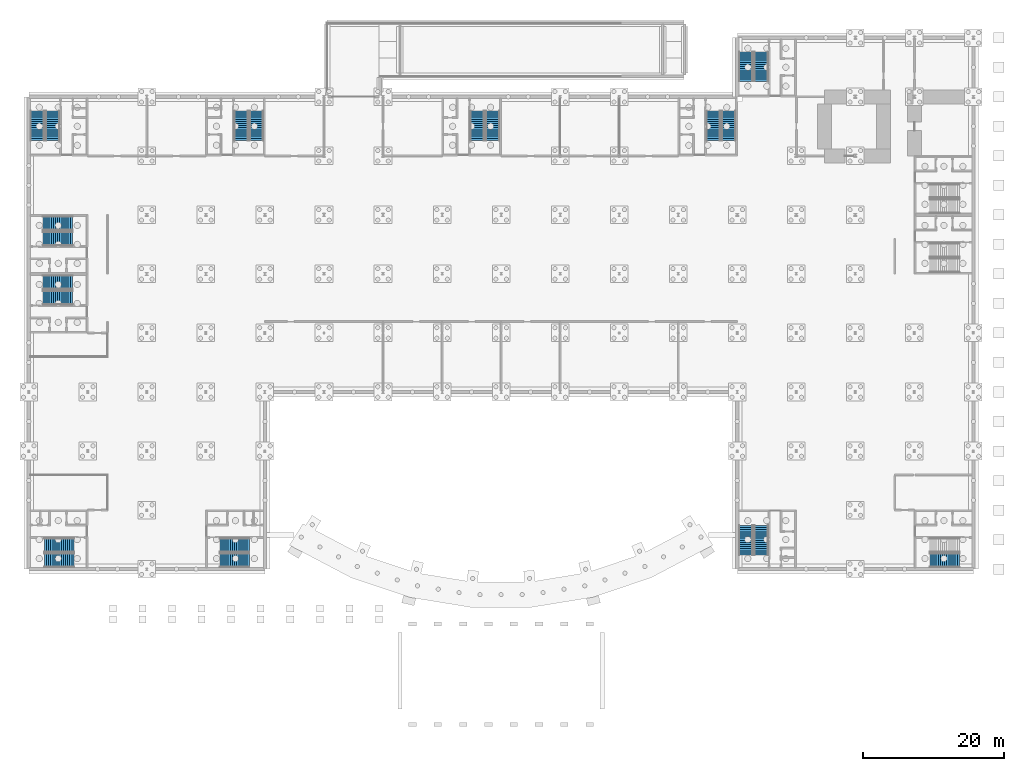
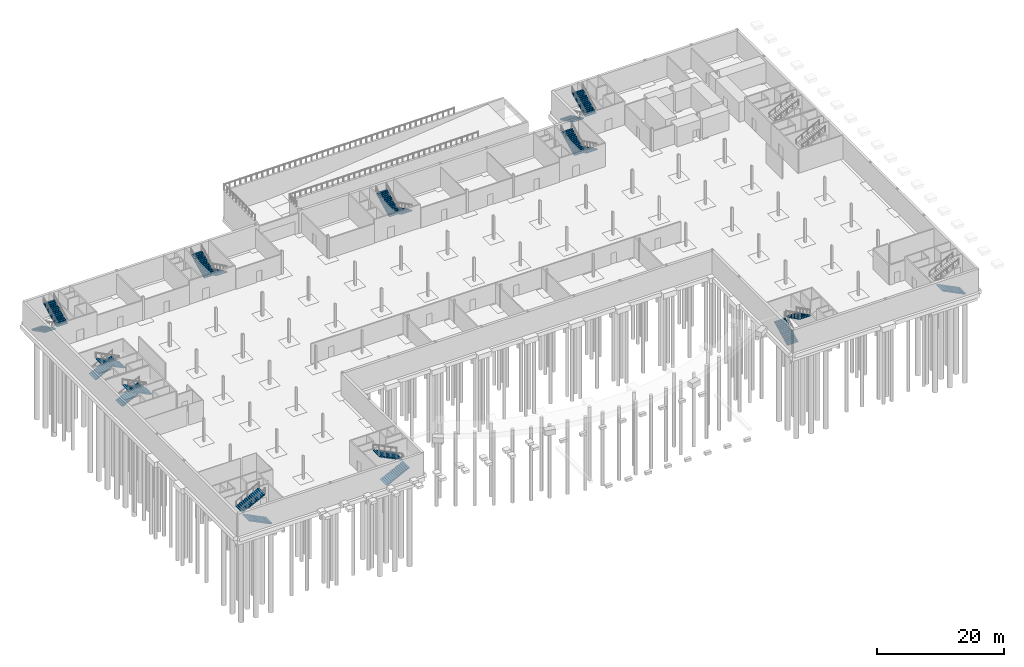
# One storey, part 32 of 35: 21 stair flights, 11 elements without a shape of their own.
"""IFC4 building model written with IfcOpenShell, lengths in metres."""

import ifcopenshell
import ifcopenshell.guid

model = None  # the IFC model being written
_history = None  # IfcOwnerHistory: only IFC2X3 demands one
_inside = {}  # id of a spatial element -> (the spatial element, [elements in it])
_under = {}  # id of a project, library or spatial element -> (it, [spatial elements below it])
_declared = {}  # id of a project -> (the project, [libraries it declares])
_typed = {}  # id of a type object -> (the type object, [elements of that type])
_made_of = {}  # id of a material, layer set ... -> (it, [elements and type objects made of it])


def new_model(schema):
    """Start an empty IFC model of exactly this schema.

    Asked for "IFC4X3", IfcOpenShell would pick the latest addendum, in which some entities
    have other attributes; the version numbers below select the first issue.
    IFC2X3 requires an IfcOwnerHistory on every rooted entity: one is made here for all.
    """
    global model, _history
    if schema == "IFC4X3":
        model = ifcopenshell.file(schema_version=(4, 3, 0, 0))
    else:
        model = ifcopenshell.file(schema=schema)
    _inside.clear()
    _under.clear()
    _declared.clear()
    _typed.clear()
    _made_of.clear()
    _history = None
    if model.schema == "IFC2X3":
        org = make("IfcOrganization", Name="unknown")
        user = make(
            "IfcPersonAndOrganization",
            ThePerson=make("IfcPerson", FamilyName="unknown"),
            TheOrganization=org,
        )
        app = make(
            "IfcApplication",
            ApplicationDeveloper=org,
            Version="unknown",
            ApplicationFullName="unknown",
            ApplicationIdentifier="unknown",
        )
        _history = make(
            "IfcOwnerHistory",
            OwningUser=user,
            OwningApplication=app,
            ChangeAction="ADDED",
            CreationDate=0,
        )
    return model


def make(cls, **values):
    """One entity of the class cls with the attributes given. An attribute that is None is left unset."""
    return model.create_entity(
        cls, **{name: value for name, value in values.items() if value is not None}
    )


def rooted(cls, **values):
    """An entity with a GlobalId (a new one), such as an element, a storey or a relation."""
    return make(cls, GlobalId=ifcopenshell.guid.new(), OwnerHistory=_history, **values)


def si_unit(unit_type, name, prefix=None):
    """IfcSIUnit, for example si_unit("LENGTHUNIT", "METRE", prefix="MILLI")."""
    return make("IfcSIUnit", UnitType=unit_type, Prefix=prefix, Name=name)


def assignment(units):
    """IfcUnitAssignment: the units of a project."""
    return None if units is None else make("IfcUnitAssignment", Units=units)


def point(xyz):
    """IfcCartesianPoint."""
    return None if xyz is None else make("IfcCartesianPoint", Coordinates=xyz)


def direction(xyz):
    """IfcDirection."""
    return None if xyz is None else make("IfcDirection", DirectionRatios=xyz)


def frame(location, z_axis=None, x_axis=None):
    """IfcAxis2Placement3D, a coordinate frame: its origin and axes. An axis left out is left unset."""
    return make(
        "IfcAxis2Placement3D",
        Location=point(location),
        Axis=direction(z_axis),
        RefDirection=direction(x_axis),
    )


def origin():
    """The frame at (0, 0, 0) with its axes left unset."""
    return frame((0.0, 0.0, 0.0))


def place(relative_to, where):
    """IfcLocalPlacement: puts the frame where relative to a parent placement (None: the world)."""
    return make(
        "IfcLocalPlacement", PlacementRelTo=relative_to, RelativePlacement=where
    )


def context(
    kind, dimensions, precision=None, world=None, true_north=None, identifier=None
):
    """IfcGeometricRepresentationContext, for example the 3D "Model" context."""
    return make(
        "IfcGeometricRepresentationContext",
        ContextIdentifier=identifier,
        ContextType=kind,
        CoordinateSpaceDimension=dimensions,
        Precision=precision,
        WorldCoordinateSystem=world,
        TrueNorth=true_north,
    )


def subcontext(parent, identifier, kind, view, scale=None):
    """IfcGeometricRepresentationSubContext, for example "Body" below "Model"."""
    return make(
        "IfcGeometricRepresentationSubContext",
        ContextIdentifier=identifier,
        ContextType=kind,
        ParentContext=parent,
        TargetScale=scale,
        TargetView=view,
    )


def project(units=None, contexts=None):
    """IfcProject with its units and contexts."""
    return rooted(
        "IfcProject",
        Name="project",
        RepresentationContexts=contexts,
        UnitsInContext=assignment(units),
    )


def spatial(cls, under=None, at=None, **own):
    """A site, building, storey or space (cls), placed at a placement, below another one or the project."""
    s = rooted(cls, ObjectPlacement=at, **own)
    if under is not None:
        _under.setdefault(under.id(), (under, []))[1].append(s)
    return s


def polyline(points):
    """IfcPolyline through the points."""
    return make("IfcPolyline", Points=[point(p) for p in points])


def outline(outer, holes=None, kind="AREA"):
    """IfcArbitraryClosedProfileDef: a profile drawn as a closed curve; with holes, ...WithVoids."""
    if holes is None:
        return make("IfcArbitraryClosedProfileDef", ProfileType=kind, OuterCurve=outer)
    return make(
        "IfcArbitraryProfileDefWithVoids",
        ProfileType=kind,
        OuterCurve=outer,
        InnerCurves=holes,
    )


def extrude(swept, where, along, depth):
    """IfcExtrudedAreaSolid: the profile swept, set in the frame where, extruded along a direction by depth."""
    return make(
        "IfcExtrudedAreaSolid",
        SweptArea=swept,
        Position=where,
        ExtrudedDirection=direction(along),
        Depth=depth,
    )


def shape(context_of_items, identifier, shape_type, items):
    """IfcShapeRepresentation: the items that make up one representation, for example the "Body"."""
    return make(
        "IfcShapeRepresentation",
        ContextOfItems=context_of_items,
        RepresentationIdentifier=identifier,
        RepresentationType=shape_type,
        Items=items,
    )


def material(Name=None, Category=None):
    """IfcMaterial."""
    return make("IfcMaterial", Name=Name, Category=Category)


def made_of(thing, what):
    """Note that an element or type object is made of a material, layer set ...; save() writes the relation."""
    if what is not None:
        _made_of.setdefault(what.id(), (what, []))[1].append(thing)
    return thing


def type_object(cls, material=None, **own):
    """A type object (cls), such as IfcWallType, which elements share."""
    return made_of(rooted(cls, **own), material)


def element(
    cls,
    number,
    at=None,
    inside=None,
    cuts=None,
    type_object=None,
    material=None,
    context=None,
    identifier="Body",
    shape_type=None,
    held_by="IfcProductDefinitionShape",
    body=None,
    shapes=None,
    **own,
):
    """One element of the class cls, such as IfcWall. Its Tag is "e" and its number.

    at: its placement. inside: the storey or other place that contains it. cuts: it is an
    opening in that element (IfcRelVoidsElement). A single representation is given by context,
    identifier, shape_type and body (its items); several are given by shapes. held_by: the class
    of the entity that holds the representations. save() writes the other relations.
    """
    e = rooted(cls, Tag="e%d" % number, ObjectPlacement=at, **own)
    if body is not None:
        shapes = [shape(context, identifier, shape_type, body)]
    if shapes is not None:
        e.Representation = make(held_by, Representations=shapes)
    if inside is not None:
        _inside.setdefault(inside.id(), (inside, []))[1].append(e)
    if cuts is not None:
        rooted(
            "IfcRelVoidsElement", RelatingBuildingElement=cuts, RelatedOpeningElement=e
        )
    if type_object is not None:
        _typed.setdefault(type_object.id(), (type_object, []))[1].append(e)
    return made_of(e, material)


def aggregate(whole, parts):
    """IfcRelAggregates: a whole, such as a stair, and the parts it consists of."""
    return rooted("IfcRelAggregates", RelatingObject=whole, RelatedObjects=parts)


def save(model, path):
    """Write the relations noted so far, then the file.

    IfcRelAggregates (storeys below a building ...), IfcRelContainedInSpatialStructure (elements
    in a storey), IfcRelDefinesByType, IfcRelAssociatesMaterial and IfcRelDeclares: one each for
    every whole, place, type object, material and project.
    """
    for whole, parts in _under.values():
        aggregate(whole, parts)
    for where, things in _inside.values():
        rooted(
            "IfcRelContainedInSpatialStructure",
            RelatedElements=things,
            RelatingStructure=where,
        )
    for kind, things in _typed.values():
        rooted("IfcRelDefinesByType", RelatedObjects=things, RelatingType=kind)
    for what, things in _made_of.values():
        rooted("IfcRelAssociatesMaterial", RelatedObjects=things, RelatingMaterial=what)
    for by, libraries in _declared.values():
        rooted("IfcRelDeclares", RelatingContext=by, RelatedDefinitions=libraries)
    model.write(path)


model = new_model("IFC4")

# Units and contexts
model_context = context("Model", 3, precision=1e-05, world=origin(), true_north=direction((0.0, 1.0)))
body_context = subcontext(model_context, "Body", "Model", "MODEL_VIEW")
ifc_project = project(units=[si_unit("LENGTHUNIT", "METRE"), si_unit("AREAUNIT", "SQUARE_METRE"), si_unit("VOLUMEUNIT", "CUBIC_METRE"), si_unit("PLANEANGLEUNIT", "RADIAN"), si_unit("MASSUNIT", "GRAM", prefix="KILO")], contexts=[model_context])

# Site, building, storey
site_placement = place(None, origin())
site = spatial("IfcSite", under=ifc_project, at=site_placement, CompositionType="ELEMENT")
building_placement = place(site_placement, origin())
building = spatial("IfcBuilding", under=site, at=building_placement, Name="Ardhachandra Cancer Care Centre", CompositionType="ELEMENT")
storey_placement = place(building_placement, frame((0.0, 0.0, -4.5)))
storey = spatial("IfcBuildingStorey", under=building, at=storey_placement, Name="B1", CompositionType="ELEMENT", Elevation=-4.5)

# Stair, stair flights
ifc_material_1 = material(Name="Concrete M40", Category="concrete")
stair_type = type_object("IfcStairType", Name="Dog-leg stair 2000", PredefinedType="HALF_TURN_STAIR", material=ifc_material_1)
stair_1_placement = place(storey_placement, origin())
stair_1 = element("IfcStair", 1, at=stair_1_placement, inside=storey, type_object=stair_type, Name="Stair K1 B1-L00", PredefinedType="HALF_TURN_STAIR")
ifc_material_2 = material(Name="Concrete M40", Category="concrete")
stair_flight_type = type_object("IfcStairFlightType", Name="Stair flight 2000", PredefinedType="STRAIGHT", material=ifc_material_2)
stair_flight_1_placement = place(storey_placement, frame((17.22509765625, 30.625, 0.0), z_axis=(0.0, 0.0, 1.0), x_axis=(-1.0, 0.0, 0.0)))
stair_flight_1 = element("IfcStairFlight", 2, at=stair_flight_1_placement, type_object=stair_flight_type, Name="stair K1 B1-L00 flight 1", NumberOfRisers=15, NumberOfTreads=14, PredefinedType="STRAIGHT", RiserHeight=0.15, TreadLength=0.3, context=body_context, shape_type="SweptSolid", body=[
    extrude(outline(polyline([(0.0, 0.0), (0.0, 0.14990234375), (0.300048828125, 0.14990234375), (0.300048828125, 0.300048828125), (0.60009765625, 0.300048828125), (0.60009765625, 0.449951171875), (0.89990234375, 0.449951171875), (0.89990234375, 0.60009765625), (1.199951171875, 0.60009765625), (1.199951171875, 0.75), (1.5, 0.75), (1.5, 0.89990234375), (1.800048828125, 0.89990234375), (1.800048828125, 1.050048828125), (2.10009765625, 1.050048828125), (2.10009765625, 1.199951171875), (2.39990234375, 1.199951171875), (2.39990234375, 1.35009765625), (2.699951171875, 1.35009765625), (2.699951171875, 1.5), (3.0, 1.5), (3.0, 1.64990234375), (3.300048828125, 1.64990234375), (3.300048828125, 1.800048828125), (3.60009765625, 1.800048828125), (3.60009765625, 1.949951171875), (3.89990234375, 1.949951171875), (3.89990234375, 2.10009765625), (4.199951171875, 2.10009765625), (4.199951171875, 2.25), (4.199951171875, 1.932373046875), (0.335205078125, 0.0), (0.0, 0.0)])), frame((0.0, 1.0, 0.0), z_axis=(0.0, -1.0, 0.0), x_axis=(1.0, 0.0, 0.0)), (0.0, 0.0, 1.0), 2.0),
])
stair_flight_2_placement = place(storey_placement, frame((13.02490234375, 32.824951171875, 2.25), z_axis=(0.0, 0.0, 1.0), x_axis=(1.0, 0.0, 0.0)))
stair_flight_2 = element("IfcStairFlight", 3, at=stair_flight_2_placement, type_object=stair_flight_type, Name="stair K1 B1-L00 flight 2", NumberOfRisers=15, NumberOfTreads=14, PredefinedType="STRAIGHT", RiserHeight=0.15, TreadLength=0.3, context=body_context, shape_type="SweptSolid", body=[
    extrude(outline(polyline([(0.0, 0.0), (0.0, 0.14990234375), (0.300048828125, 0.14990234375), (0.300048828125, 0.300048828125), (0.60009765625, 0.300048828125), (0.60009765625, 0.449951171875), (0.89990234375, 0.449951171875), (0.89990234375, 0.60009765625), (1.199951171875, 0.60009765625), (1.199951171875, 0.75), (1.5, 0.75), (1.5, 0.89990234375), (1.800048828125, 0.89990234375), (1.800048828125, 1.050048828125), (2.10009765625, 1.050048828125), (2.10009765625, 1.199951171875), (2.39990234375, 1.199951171875), (2.39990234375, 1.35009765625), (2.699951171875, 1.35009765625), (2.699951171875, 1.5), (3.0, 1.5), (3.0, 1.64990234375), (3.300048828125, 1.64990234375), (3.300048828125, 1.800048828125), (3.60009765625, 1.800048828125), (3.60009765625, 1.949951171875), (3.89990234375, 1.949951171875), (3.89990234375, 2.10009765625), (4.199951171875, 2.10009765625), (4.199951171875, 2.25), (4.199951171875, 1.932373046875), (0.335205078125, 0.0), (0.0, 0.0)])), frame((0.0, 1.0, 0.0), z_axis=(0.0, -1.0, 0.0), x_axis=(1.0, 0.0, 0.0)), (0.0, 0.0, 1.0), 2.0),
])
aggregate(stair_1, [stair_flight_1, stair_flight_2])

stair_2_placement = place(storey_placement, origin())
stair_2 = element("IfcStair", 4, at=stair_2_placement, inside=storey, type_object=stair_type, Name="Stair K2 B1-L00", PredefinedType="HALF_TURN_STAIR")
stair_flight_3_placement = place(storey_placement, frame((37.97509765625, 30.625, 0.0), z_axis=(0.0, 0.0, 1.0), x_axis=(1.0, 0.0, 0.0)))
stair_flight_3 = element("IfcStairFlight", 5, at=stair_flight_3_placement, type_object=stair_flight_type, Name="stair K2 B1-L00 flight 1", NumberOfRisers=15, NumberOfTreads=14, PredefinedType="STRAIGHT", RiserHeight=0.15, TreadLength=0.3, context=body_context, shape_type="SweptSolid", body=[
    extrude(outline(polyline([(0.0, 0.0), (0.0, 0.14990234375), (0.300048828125, 0.14990234375), (0.300048828125, 0.300048828125), (0.60009765625, 0.300048828125), (0.60009765625, 0.449951171875), (0.89990234375, 0.449951171875), (0.89990234375, 0.60009765625), (1.199951171875, 0.60009765625), (1.199951171875, 0.75), (1.5, 0.75), (1.5, 0.89990234375), (1.800048828125, 0.89990234375), (1.800048828125, 1.050048828125), (2.10009765625, 1.050048828125), (2.10009765625, 1.199951171875), (2.39990234375, 1.199951171875), (2.39990234375, 1.35009765625), (2.699951171875, 1.35009765625), (2.699951171875, 1.5), (3.0, 1.5), (3.0, 1.64990234375), (3.300048828125, 1.64990234375), (3.300048828125, 1.800048828125), (3.60009765625, 1.800048828125), (3.60009765625, 1.949951171875), (3.89990234375, 1.949951171875), (3.89990234375, 2.10009765625), (4.199951171875, 2.10009765625), (4.199951171875, 2.25), (4.199951171875, 1.932373046875), (0.335205078125, 0.0), (0.0, 0.0)])), frame((0.0, 1.0, 0.0), z_axis=(0.0, -1.0, 0.0), x_axis=(1.0, 0.0, 0.0)), (0.0, 0.0, 1.0), 2.0),
])
stair_flight_4_placement = place(storey_placement, frame((42.175048828125, 32.824951171875, 2.25), z_axis=(0.0, 0.0, 1.0), x_axis=(-1.0, 0.0, 0.0)))
stair_flight_4 = element("IfcStairFlight", 6, at=stair_flight_4_placement, type_object=stair_flight_type, Name="stair K2 B1-L00 flight 2", NumberOfRisers=15, NumberOfTreads=14, PredefinedType="STRAIGHT", RiserHeight=0.15, TreadLength=0.3, context=body_context, shape_type="SweptSolid", body=[
    extrude(outline(polyline([(0.0, 0.0), (0.0, 0.14990234375), (0.300048828125, 0.14990234375), (0.300048828125, 0.300048828125), (0.60009765625, 0.300048828125), (0.60009765625, 0.449951171875), (0.89990234375, 0.449951171875), (0.89990234375, 0.60009765625), (1.199951171875, 0.60009765625), (1.199951171875, 0.75), (1.5, 0.75), (1.5, 0.89990234375), (1.800048828125, 0.89990234375), (1.800048828125, 1.050048828125), (2.10009765625, 1.050048828125), (2.10009765625, 1.199951171875), (2.39990234375, 1.199951171875), (2.39990234375, 1.35009765625), (2.699951171875, 1.35009765625), (2.699951171875, 1.5), (3.0, 1.5), (3.0, 1.64990234375), (3.300048828125, 1.64990234375), (3.300048828125, 1.800048828125), (3.60009765625, 1.800048828125), (3.60009765625, 1.949951171875), (3.89990234375, 1.949951171875), (3.89990234375, 2.10009765625), (4.199951171875, 2.10009765625), (4.199951171875, 2.25), (4.199951171875, 1.932373046875), (0.335205078125, 0.0), (0.0, 0.0)])), frame((0.0, 1.0, 0.0), z_axis=(0.0, -1.0, 0.0), x_axis=(1.0, 0.0, 0.0)), (0.0, 0.0, 1.0), 2.0),
])
aggregate(stair_2, [stair_flight_3, stair_flight_4])

stair_3_placement = place(storey_placement, origin())
stair_3 = element("IfcStair", 7, at=stair_3_placement, inside=storey, type_object=stair_type, Name="Stair K3 B1-L00", PredefinedType="HALF_TURN_STAIR")
stair_flight_5_placement = place(storey_placement, frame((12.800048828125, 70.199951171875, 0.0), z_axis=(0.0, 0.0, 1.0), x_axis=(1.0, 0.0, 0.0)))
stair_flight_5 = element("IfcStairFlight", 8, at=stair_flight_5_placement, type_object=stair_flight_type, Name="stair K3 B1-L00 flight 1", NumberOfRisers=15, NumberOfTreads=14, PredefinedType="STRAIGHT", RiserHeight=0.15, TreadLength=0.3, context=body_context, shape_type="SweptSolid", body=[
    extrude(outline(polyline([(0.0, 0.0), (0.0, 0.14990234375), (0.300048828125, 0.14990234375), (0.300048828125, 0.300048828125), (0.60009765625, 0.300048828125), (0.60009765625, 0.449951171875), (0.89990234375, 0.449951171875), (0.89990234375, 0.60009765625), (1.199951171875, 0.60009765625), (1.199951171875, 0.75), (1.5, 0.75), (1.5, 0.89990234375), (1.800048828125, 0.89990234375), (1.800048828125, 1.050048828125), (2.10009765625, 1.050048828125), (2.10009765625, 1.199951171875), (2.39990234375, 1.199951171875), (2.39990234375, 1.35009765625), (2.699951171875, 1.35009765625), (2.699951171875, 1.5), (3.0, 1.5), (3.0, 1.64990234375), (3.300048828125, 1.64990234375), (3.300048828125, 1.800048828125), (3.60009765625, 1.800048828125), (3.60009765625, 1.949951171875), (3.89990234375, 1.949951171875), (3.89990234375, 2.10009765625), (4.199951171875, 2.10009765625), (4.199951171875, 2.25), (4.199951171875, 1.932373046875), (0.335205078125, 0.0), (0.0, 0.0)])), frame((0.0, 1.0, 0.0), z_axis=(0.0, -1.0, 0.0), x_axis=(1.0, 0.0, 0.0)), (0.0, 0.0, 1.0), 2.0),
])
stair_flight_6_placement = place(storey_placement, frame((17.0, 68.0, 2.25), z_axis=(0.0, 0.0, 1.0), x_axis=(-1.0, 0.0, 0.0)))
stair_flight_6 = element("IfcStairFlight", 9, at=stair_flight_6_placement, type_object=stair_flight_type, Name="stair K3 B1-L00 flight 2", NumberOfRisers=15, NumberOfTreads=14, PredefinedType="STRAIGHT", RiserHeight=0.15, TreadLength=0.3, context=body_context, shape_type="SweptSolid", body=[
    extrude(outline(polyline([(0.0, 0.0), (0.0, 0.14990234375), (0.300048828125, 0.14990234375), (0.300048828125, 0.300048828125), (0.60009765625, 0.300048828125), (0.60009765625, 0.449951171875), (0.89990234375, 0.449951171875), (0.89990234375, 0.60009765625), (1.199951171875, 0.60009765625), (1.199951171875, 0.75), (1.5, 0.75), (1.5, 0.89990234375), (1.800048828125, 0.89990234375), (1.800048828125, 1.050048828125), (2.10009765625, 1.050048828125), (2.10009765625, 1.199951171875), (2.39990234375, 1.199951171875), (2.39990234375, 1.35009765625), (2.699951171875, 1.35009765625), (2.699951171875, 1.5), (3.0, 1.5), (3.0, 1.64990234375), (3.300048828125, 1.64990234375), (3.300048828125, 1.800048828125), (3.60009765625, 1.800048828125), (3.60009765625, 1.949951171875), (3.89990234375, 1.949951171875), (3.89990234375, 2.10009765625), (4.199951171875, 2.10009765625), (4.199951171875, 2.25), (4.199951171875, 1.932373046875), (0.335205078125, 0.0), (0.0, 0.0)])), frame((0.0, 1.0, 0.0), z_axis=(0.0, -1.0, 0.0), x_axis=(1.0, 0.0, 0.0)), (0.0, 0.0, 1.0), 2.0),
])
aggregate(stair_3, [stair_flight_5, stair_flight_6])

stair_4_placement = place(storey_placement, origin())
stair_4 = element("IfcStair", 10, at=stair_4_placement, inside=storey, type_object=stair_type, Name="Stair K4 B1-L00", PredefinedType="HALF_TURN_STAIR")
stair_flight_7_placement = place(storey_placement, frame((12.02490234375, 94.60009765625, 0.0), z_axis=(0.0, 0.0, 1.0), x_axis=(0.0, -1.0, 0.0)))
stair_flight_7 = element("IfcStairFlight", 11, at=stair_flight_7_placement, type_object=stair_flight_type, Name="stair K4 B1-L00 flight 1", NumberOfRisers=15, NumberOfTreads=14, PredefinedType="STRAIGHT", RiserHeight=0.15, TreadLength=0.3, context=body_context, shape_type="SweptSolid", body=[
    extrude(outline(polyline([(0.0, 0.0), (0.0, 0.14990234375), (0.300048828125, 0.14990234375), (0.300048828125, 0.300048828125), (0.60009765625, 0.300048828125), (0.60009765625, 0.449951171875), (0.89990234375, 0.449951171875), (0.89990234375, 0.60009765625), (1.199951171875, 0.60009765625), (1.199951171875, 0.75), (1.5, 0.75), (1.5, 0.89990234375), (1.800048828125, 0.89990234375), (1.800048828125, 1.050048828125), (2.10009765625, 1.050048828125), (2.10009765625, 1.199951171875), (2.39990234375, 1.199951171875), (2.39990234375, 1.35009765625), (2.699951171875, 1.35009765625), (2.699951171875, 1.5), (3.0, 1.5), (3.0, 1.64990234375), (3.300048828125, 1.64990234375), (3.300048828125, 1.800048828125), (3.60009765625, 1.800048828125), (3.60009765625, 1.949951171875), (3.89990234375, 1.949951171875), (3.89990234375, 2.10009765625), (4.199951171875, 2.10009765625), (4.199951171875, 2.25), (4.199951171875, 1.932373046875), (0.335205078125, 0.0), (0.0, 0.0)])), frame((0.0, 1.0, 0.0), z_axis=(0.0, -1.0, 0.0), x_axis=(1.0, 0.0, 0.0)), (0.0, 0.0, 1.0), 2.0),
])
stair_flight_8_placement = place(storey_placement, frame((14.22509765625, 90.39990234375, 2.25), z_axis=(0.0, 0.0, 1.0), x_axis=(0.0, 1.0, 0.0)))
stair_flight_8 = element("IfcStairFlight", 12, at=stair_flight_8_placement, type_object=stair_flight_type, Name="stair K4 B1-L00 flight 2", NumberOfRisers=15, NumberOfTreads=14, PredefinedType="STRAIGHT", RiserHeight=0.15, TreadLength=0.3, context=body_context, shape_type="SweptSolid", body=[
    extrude(outline(polyline([(0.0, 0.0), (0.0, 0.14990234375), (0.300048828125, 0.14990234375), (0.300048828125, 0.300048828125), (0.60009765625, 0.300048828125), (0.60009765625, 0.449951171875), (0.89990234375, 0.449951171875), (0.89990234375, 0.60009765625), (1.199951171875, 0.60009765625), (1.199951171875, 0.75), (1.5, 0.75), (1.5, 0.89990234375), (1.800048828125, 0.89990234375), (1.800048828125, 1.050048828125), (2.10009765625, 1.050048828125), (2.10009765625, 1.199951171875), (2.39990234375, 1.199951171875), (2.39990234375, 1.35009765625), (2.699951171875, 1.35009765625), (2.699951171875, 1.5), (3.0, 1.5), (3.0, 1.64990234375), (3.300048828125, 1.64990234375), (3.300048828125, 1.800048828125), (3.60009765625, 1.800048828125), (3.60009765625, 1.949951171875), (3.89990234375, 1.949951171875), (3.89990234375, 2.10009765625), (4.199951171875, 2.10009765625), (4.199951171875, 2.25), (4.199951171875, 1.932373046875), (0.335205078125, 0.0), (0.0, 0.0)])), frame((0.0, 1.0, 0.0), z_axis=(0.0, -1.0, 0.0), x_axis=(1.0, 0.0, 0.0)), (0.0, 0.0, 1.0), 2.0),
])
aggregate(stair_4, [stair_flight_7, stair_flight_8])

stair_5_placement = place(storey_placement, origin())
stair_5 = element("IfcStair", 13, at=stair_5_placement, inside=storey, type_object=stair_type, Name="Stair K5 B1-L00", PredefinedType="HALF_TURN_STAIR")
stair_flight_9_placement = place(storey_placement, frame((43.199951171875, 94.60009765625, 0.0), z_axis=(0.0, 0.0, 1.0), x_axis=(0.0, -1.0, 0.0)))
stair_flight_9 = element("IfcStairFlight", 14, at=stair_flight_9_placement, type_object=stair_flight_type, Name="stair K5 B1-L00 flight 1", NumberOfRisers=15, NumberOfTreads=14, PredefinedType="STRAIGHT", RiserHeight=0.15, TreadLength=0.3, context=body_context, shape_type="SweptSolid", body=[
    extrude(outline(polyline([(0.0, 0.0), (0.0, 0.14990234375), (0.300048828125, 0.14990234375), (0.300048828125, 0.300048828125), (0.60009765625, 0.300048828125), (0.60009765625, 0.449951171875), (0.89990234375, 0.449951171875), (0.89990234375, 0.60009765625), (1.199951171875, 0.60009765625), (1.199951171875, 0.75), (1.5, 0.75), (1.5, 0.89990234375), (1.800048828125, 0.89990234375), (1.800048828125, 1.050048828125), (2.10009765625, 1.050048828125), (2.10009765625, 1.199951171875), (2.39990234375, 1.199951171875), (2.39990234375, 1.35009765625), (2.699951171875, 1.35009765625), (2.699951171875, 1.5), (3.0, 1.5), (3.0, 1.64990234375), (3.300048828125, 1.64990234375), (3.300048828125, 1.800048828125), (3.60009765625, 1.800048828125), (3.60009765625, 1.949951171875), (3.89990234375, 1.949951171875), (3.89990234375, 2.10009765625), (4.199951171875, 2.10009765625), (4.199951171875, 2.25), (4.199951171875, 1.932373046875), (0.335205078125, 0.0), (0.0, 0.0)])), frame((0.0, 1.0, 0.0), z_axis=(0.0, -1.0, 0.0), x_axis=(1.0, 0.0, 0.0)), (0.0, 0.0, 1.0), 2.0),
])
stair_flight_10_placement = place(storey_placement, frame((41.0, 90.39990234375, 2.25), z_axis=(0.0, 0.0, 1.0), x_axis=(0.0, 1.0, 0.0)))
stair_flight_10 = element("IfcStairFlight", 15, at=stair_flight_10_placement, type_object=stair_flight_type, Name="stair K5 B1-L00 flight 2", NumberOfRisers=15, NumberOfTreads=14, PredefinedType="STRAIGHT", RiserHeight=0.15, TreadLength=0.3, context=body_context, shape_type="SweptSolid", body=[
    extrude(outline(polyline([(0.0, 0.0), (0.0, 0.14990234375), (0.300048828125, 0.14990234375), (0.300048828125, 0.300048828125), (0.60009765625, 0.300048828125), (0.60009765625, 0.449951171875), (0.89990234375, 0.449951171875), (0.89990234375, 0.60009765625), (1.199951171875, 0.60009765625), (1.199951171875, 0.75), (1.5, 0.75), (1.5, 0.89990234375), (1.800048828125, 0.89990234375), (1.800048828125, 1.050048828125), (2.10009765625, 1.050048828125), (2.10009765625, 1.199951171875), (2.39990234375, 1.199951171875), (2.39990234375, 1.35009765625), (2.699951171875, 1.35009765625), (2.699951171875, 1.5), (3.0, 1.5), (3.0, 1.64990234375), (3.300048828125, 1.64990234375), (3.300048828125, 1.800048828125), (3.60009765625, 1.800048828125), (3.60009765625, 1.949951171875), (3.89990234375, 1.949951171875), (3.89990234375, 2.10009765625), (4.199951171875, 2.10009765625), (4.199951171875, 2.25), (4.199951171875, 1.932373046875), (0.335205078125, 0.0), (0.0, 0.0)])), frame((0.0, 1.0, 0.0), z_axis=(0.0, -1.0, 0.0), x_axis=(1.0, 0.0, 0.0)), (0.0, 0.0, 1.0), 2.0),
])
aggregate(stair_5, [stair_flight_9, stair_flight_10])

stair_6_placement = place(storey_placement, origin())
stair_6 = element("IfcStair", 16, at=stair_6_placement, inside=storey, type_object=stair_type, Name="Stair K6 B1-L00", PredefinedType="HALF_TURN_STAIR")
stair_flight_11_placement = place(storey_placement, frame((12.800048828125, 78.60009765625, 0.0), z_axis=(0.0, 0.0, 1.0), x_axis=(1.0, 0.0, 0.0)))
stair_flight_11 = element("IfcStairFlight", 17, at=stair_flight_11_placement, type_object=stair_flight_type, Name="stair K6 B1-L00 flight 1", NumberOfRisers=15, NumberOfTreads=14, PredefinedType="STRAIGHT", RiserHeight=0.15, TreadLength=0.3, context=body_context, shape_type="SweptSolid", body=[
    extrude(outline(polyline([(0.0, 0.0), (0.0, 0.14990234375), (0.300048828125, 0.14990234375), (0.300048828125, 0.300048828125), (0.60009765625, 0.300048828125), (0.60009765625, 0.449951171875), (0.89990234375, 0.449951171875), (0.89990234375, 0.60009765625), (1.199951171875, 0.60009765625), (1.199951171875, 0.75), (1.5, 0.75), (1.5, 0.89990234375), (1.800048828125, 0.89990234375), (1.800048828125, 1.050048828125), (2.10009765625, 1.050048828125), (2.10009765625, 1.199951171875), (2.39990234375, 1.199951171875), (2.39990234375, 1.35009765625), (2.699951171875, 1.35009765625), (2.699951171875, 1.5), (3.0, 1.5), (3.0, 1.64990234375), (3.300048828125, 1.64990234375), (3.300048828125, 1.800048828125), (3.60009765625, 1.800048828125), (3.60009765625, 1.949951171875), (3.89990234375, 1.949951171875), (3.89990234375, 2.10009765625), (4.199951171875, 2.10009765625), (4.199951171875, 2.25), (4.199951171875, 1.932373046875), (0.335205078125, 0.0), (0.0, 0.0)])), frame((0.0, 1.0, 0.0), z_axis=(0.0, -1.0, 0.0), x_axis=(1.0, 0.0, 0.0)), (0.0, 0.0, 1.0), 2.0),
])
stair_flight_12_placement = place(storey_placement, frame((17.0, 76.39990234375, 2.25), z_axis=(0.0, 0.0, 1.0), x_axis=(-1.0, 0.0, 0.0)))
stair_flight_12 = element("IfcStairFlight", 18, at=stair_flight_12_placement, type_object=stair_flight_type, Name="stair K6 B1-L00 flight 2", NumberOfRisers=15, NumberOfTreads=14, PredefinedType="STRAIGHT", RiserHeight=0.15, TreadLength=0.3, context=body_context, shape_type="SweptSolid", body=[
    extrude(outline(polyline([(0.0, 0.0), (0.0, 0.14990234375), (0.300048828125, 0.14990234375), (0.300048828125, 0.300048828125), (0.60009765625, 0.300048828125), (0.60009765625, 0.449951171875), (0.89990234375, 0.449951171875), (0.89990234375, 0.60009765625), (1.199951171875, 0.60009765625), (1.199951171875, 0.75), (1.5, 0.75), (1.5, 0.89990234375), (1.800048828125, 0.89990234375), (1.800048828125, 1.050048828125), (2.10009765625, 1.050048828125), (2.10009765625, 1.199951171875), (2.39990234375, 1.199951171875), (2.39990234375, 1.35009765625), (2.699951171875, 1.35009765625), (2.699951171875, 1.5), (3.0, 1.5), (3.0, 1.64990234375), (3.300048828125, 1.64990234375), (3.300048828125, 1.800048828125), (3.60009765625, 1.800048828125), (3.60009765625, 1.949951171875), (3.89990234375, 1.949951171875), (3.89990234375, 2.10009765625), (4.199951171875, 2.10009765625), (4.199951171875, 2.25), (4.199951171875, 1.932373046875), (0.335205078125, 0.0), (0.0, 0.0)])), frame((0.0, 1.0, 0.0), z_axis=(0.0, -1.0, 0.0), x_axis=(1.0, 0.0, 0.0)), (0.0, 0.0, 1.0), 2.0),
])
aggregate(stair_6, [stair_flight_11, stair_flight_12])

stair_7_placement = place(storey_placement, origin())
stair_7 = element("IfcStair", 19, at=stair_7_placement, inside=storey, type_object=stair_type, Name="Stair K7 B1-L00", PredefinedType="HALF_TURN_STAIR")
stair_flight_13_placement = place(storey_placement, frame((110.39990234375, 94.60009765625, 0.0), z_axis=(0.0, 0.0, 1.0), x_axis=(0.0, -1.0, 0.0)))
stair_flight_13 = element("IfcStairFlight", 20, at=stair_flight_13_placement, type_object=stair_flight_type, Name="stair K7 B1-L00 flight 1", NumberOfRisers=15, NumberOfTreads=14, PredefinedType="STRAIGHT", RiserHeight=0.15, TreadLength=0.3, context=body_context, shape_type="SweptSolid", body=[
    extrude(outline(polyline([(0.0, 0.0), (0.0, 0.14990234375), (0.300048828125, 0.14990234375), (0.300048828125, 0.300048828125), (0.60009765625, 0.300048828125), (0.60009765625, 0.449951171875), (0.89990234375, 0.449951171875), (0.89990234375, 0.60009765625), (1.199951171875, 0.60009765625), (1.199951171875, 0.75), (1.5, 0.75), (1.5, 0.89990234375), (1.800048828125, 0.89990234375), (1.800048828125, 1.050048828125), (2.10009765625, 1.050048828125), (2.10009765625, 1.199951171875), (2.39990234375, 1.199951171875), (2.39990234375, 1.35009765625), (2.699951171875, 1.35009765625), (2.699951171875, 1.5), (3.0, 1.5), (3.0, 1.64990234375), (3.300048828125, 1.64990234375), (3.300048828125, 1.800048828125), (3.60009765625, 1.800048828125), (3.60009765625, 1.949951171875), (3.89990234375, 1.949951171875), (3.89990234375, 2.10009765625), (4.199951171875, 2.10009765625), (4.199951171875, 2.25), (4.199951171875, 1.932373046875), (0.335205078125, 0.0), (0.0, 0.0)])), frame((0.0, 1.0, 0.0), z_axis=(0.0, -1.0, 0.0), x_axis=(1.0, 0.0, 0.0)), (0.0, 0.0, 1.0), 2.0),
])
stair_flight_14_placement = place(storey_placement, frame((108.199951171875, 90.39990234375, 2.25), z_axis=(0.0, 0.0, 1.0), x_axis=(0.0, 1.0, 0.0)))
stair_flight_14 = element("IfcStairFlight", 21, at=stair_flight_14_placement, type_object=stair_flight_type, Name="stair K7 B1-L00 flight 2", NumberOfRisers=15, NumberOfTreads=14, PredefinedType="STRAIGHT", RiserHeight=0.15, TreadLength=0.3, context=body_context, shape_type="SweptSolid", body=[
    extrude(outline(polyline([(0.0, 0.0), (0.0, 0.14990234375), (0.300048828125, 0.14990234375), (0.300048828125, 0.300048828125), (0.60009765625, 0.300048828125), (0.60009765625, 0.449951171875), (0.89990234375, 0.449951171875), (0.89990234375, 0.60009765625), (1.199951171875, 0.60009765625), (1.199951171875, 0.75), (1.5, 0.75), (1.5, 0.89990234375), (1.800048828125, 0.89990234375), (1.800048828125, 1.050048828125), (2.10009765625, 1.050048828125), (2.10009765625, 1.199951171875), (2.39990234375, 1.199951171875), (2.39990234375, 1.35009765625), (2.699951171875, 1.35009765625), (2.699951171875, 1.5), (3.0, 1.5), (3.0, 1.64990234375), (3.300048828125, 1.64990234375), (3.300048828125, 1.800048828125), (3.60009765625, 1.800048828125), (3.60009765625, 1.949951171875), (3.89990234375, 1.949951171875), (3.89990234375, 2.10009765625), (4.199951171875, 2.10009765625), (4.199951171875, 2.25), (4.199951171875, 1.932373046875), (0.335205078125, 0.0), (0.0, 0.0)])), frame((0.0, 1.0, 0.0), z_axis=(0.0, -1.0, 0.0), x_axis=(1.0, 0.0, 0.0)), (0.0, 0.0, 1.0), 2.0),
])
aggregate(stair_7, [stair_flight_13, stair_flight_14])

stair_8_placement = place(storey_placement, origin())
stair_8 = element("IfcStair", 22, at=stair_8_placement, inside=storey, type_object=stair_type, Name="Stair K8 B1-L00", PredefinedType="HALF_TURN_STAIR")
stair_flight_15_placement = place(storey_placement, frame((76.800048828125, 94.60009765625, 0.0), z_axis=(0.0, 0.0, 1.0), x_axis=(0.0, -1.0, 0.0)))
stair_flight_15 = element("IfcStairFlight", 23, at=stair_flight_15_placement, type_object=stair_flight_type, Name="stair K8 B1-L00 flight 1", NumberOfRisers=15, NumberOfTreads=14, PredefinedType="STRAIGHT", RiserHeight=0.15, TreadLength=0.3, context=body_context, shape_type="SweptSolid", body=[
    extrude(outline(polyline([(0.0, 0.0), (0.0, 0.14990234375), (0.300048828125, 0.14990234375), (0.300048828125, 0.300048828125), (0.60009765625, 0.300048828125), (0.60009765625, 0.449951171875), (0.89990234375, 0.449951171875), (0.89990234375, 0.60009765625), (1.199951171875, 0.60009765625), (1.199951171875, 0.75), (1.5, 0.75), (1.5, 0.89990234375), (1.800048828125, 0.89990234375), (1.800048828125, 1.050048828125), (2.10009765625, 1.050048828125), (2.10009765625, 1.199951171875), (2.39990234375, 1.199951171875), (2.39990234375, 1.35009765625), (2.699951171875, 1.35009765625), (2.699951171875, 1.5), (3.0, 1.5), (3.0, 1.64990234375), (3.300048828125, 1.64990234375), (3.300048828125, 1.800048828125), (3.60009765625, 1.800048828125), (3.60009765625, 1.949951171875), (3.89990234375, 1.949951171875), (3.89990234375, 2.10009765625), (4.199951171875, 2.10009765625), (4.199951171875, 2.25), (4.199951171875, 1.932373046875), (0.335205078125, 0.0), (0.0, 0.0)])), frame((0.0, 1.0, 0.0), z_axis=(0.0, -1.0, 0.0), x_axis=(1.0, 0.0, 0.0)), (0.0, 0.0, 1.0), 2.0),
])
stair_flight_16_placement = place(storey_placement, frame((74.60009765625, 90.39990234375, 2.25), z_axis=(0.0, 0.0, 1.0), x_axis=(0.0, 1.0, 0.0)))
stair_flight_16 = element("IfcStairFlight", 24, at=stair_flight_16_placement, type_object=stair_flight_type, Name="stair K8 B1-L00 flight 2", NumberOfRisers=15, NumberOfTreads=14, PredefinedType="STRAIGHT", RiserHeight=0.15, TreadLength=0.3, context=body_context, shape_type="SweptSolid", body=[
    extrude(outline(polyline([(0.0, 0.0), (0.0, 0.14990234375), (0.300048828125, 0.14990234375), (0.300048828125, 0.300048828125), (0.60009765625, 0.300048828125), (0.60009765625, 0.449951171875), (0.89990234375, 0.449951171875), (0.89990234375, 0.60009765625), (1.199951171875, 0.60009765625), (1.199951171875, 0.75), (1.5, 0.75), (1.5, 0.89990234375), (1.800048828125, 0.89990234375), (1.800048828125, 1.050048828125), (2.10009765625, 1.050048828125), (2.10009765625, 1.199951171875), (2.39990234375, 1.199951171875), (2.39990234375, 1.35009765625), (2.699951171875, 1.35009765625), (2.699951171875, 1.5), (3.0, 1.5), (3.0, 1.64990234375), (3.300048828125, 1.64990234375), (3.300048828125, 1.800048828125), (3.60009765625, 1.800048828125), (3.60009765625, 1.949951171875), (3.89990234375, 1.949951171875), (3.89990234375, 2.10009765625), (4.199951171875, 2.10009765625), (4.199951171875, 2.25), (4.199951171875, 1.932373046875), (0.335205078125, 0.0), (0.0, 0.0)])), frame((0.0, 1.0, 0.0), z_axis=(0.0, -1.0, 0.0), x_axis=(1.0, 0.0, 0.0)), (0.0, 0.0, 1.0), 2.0),
])
aggregate(stair_8, [stair_flight_15, stair_flight_16])

# Stair, stair flight
stair_9_placement = place(storey_placement, origin())
stair_9 = element("IfcStair", 25, at=stair_9_placement, inside=storey, type_object=stair_type, Name="Stair K9 B1-L00", PredefinedType="HALF_TURN_STAIR")
stair_flight_17_placement = place(storey_placement, frame((143.199951171875, 30.625, 0.0), z_axis=(0.0, 0.0, 1.0), x_axis=(-1.0, 0.0, 0.0)))
stair_flight_17 = element("IfcStairFlight", 26, at=stair_flight_17_placement, type_object=stair_flight_type, Name="stair K9 B1-L00 flight 1", NumberOfRisers=15, NumberOfTreads=14, PredefinedType="STRAIGHT", RiserHeight=0.15, TreadLength=0.3, context=body_context, shape_type="SweptSolid", body=[
    extrude(outline(polyline([(0.0, 0.0), (0.0, 0.14990234375), (0.300048828125, 0.14990234375), (0.300048828125, 0.300048828125), (0.60009765625, 0.300048828125), (0.60009765625, 0.449951171875), (0.89990234375, 0.449951171875), (0.89990234375, 0.60009765625), (1.199951171875, 0.60009765625), (1.199951171875, 0.75), (1.5, 0.75), (1.5, 0.89990234375), (1.800048828125, 0.89990234375), (1.800048828125, 1.050048828125), (2.10009765625, 1.050048828125), (2.10009765625, 1.199951171875), (2.39990234375, 1.199951171875), (2.39990234375, 1.35009765625), (2.699951171875, 1.35009765625), (2.699951171875, 1.5), (3.0, 1.5), (3.0, 1.64990234375), (3.300048828125, 1.64990234375), (3.300048828125, 1.800048828125), (3.60009765625, 1.800048828125), (3.60009765625, 1.949951171875), (3.89990234375, 1.949951171875), (3.89990234375, 2.10009765625), (4.199951171875, 2.10009765625), (4.199951171875, 2.25), (4.199951171875, 1.932373046875), (0.335205078125, 0.0), (0.0, 0.0)])), frame((0.0, 1.0, 0.0), z_axis=(0.0, -1.0, 0.0), x_axis=(1.0, 0.0, 0.0)), (0.0, 0.0, 1.0), 2.0),
])
aggregate(stair_9, [stair_flight_17])

# Stair, stair flights
stair_10_placement = place(storey_placement, origin())
stair_10 = element("IfcStair", 27, at=stair_10_placement, inside=storey, type_object=stair_type, Name="Stair K11 B1-L00", PredefinedType="HALF_TURN_STAIR")
stair_flight_18_placement = place(storey_placement, frame((112.824951171875, 31.39990234375, 0.0), z_axis=(0.0, 0.0, 1.0), x_axis=(0.0, 1.0, 0.0)))
stair_flight_18 = element("IfcStairFlight", 28, at=stair_flight_18_placement, type_object=stair_flight_type, Name="stair K11 B1-L00 flight 1", NumberOfRisers=15, NumberOfTreads=14, PredefinedType="STRAIGHT", RiserHeight=0.15, TreadLength=0.3, context=body_context, shape_type="SweptSolid", body=[
    extrude(outline(polyline([(0.0, 0.0), (0.0, 0.14990234375), (0.300048828125, 0.14990234375), (0.300048828125, 0.300048828125), (0.60009765625, 0.300048828125), (0.60009765625, 0.449951171875), (0.89990234375, 0.449951171875), (0.89990234375, 0.60009765625), (1.199951171875, 0.60009765625), (1.199951171875, 0.75), (1.5, 0.75), (1.5, 0.89990234375), (1.800048828125, 0.89990234375), (1.800048828125, 1.050048828125), (2.10009765625, 1.050048828125), (2.10009765625, 1.199951171875), (2.39990234375, 1.199951171875), (2.39990234375, 1.35009765625), (2.699951171875, 1.35009765625), (2.699951171875, 1.5), (3.0, 1.5), (3.0, 1.64990234375), (3.300048828125, 1.64990234375), (3.300048828125, 1.800048828125), (3.60009765625, 1.800048828125), (3.60009765625, 1.949951171875), (3.89990234375, 1.949951171875), (3.89990234375, 2.10009765625), (4.199951171875, 2.10009765625), (4.199951171875, 2.25), (4.199951171875, 1.932373046875), (0.335205078125, 0.0), (0.0, 0.0)])), frame((0.0, 1.0, 0.0), z_axis=(0.0, -1.0, 0.0), x_axis=(1.0, 0.0, 0.0)), (0.0, 0.0, 1.0), 2.0),
])
stair_flight_19_placement = place(storey_placement, frame((115.02490234375, 35.60009765625, 2.25), z_axis=(0.0, 0.0, 1.0), x_axis=(0.0, -1.0, 0.0)))
stair_flight_19 = element("IfcStairFlight", 29, at=stair_flight_19_placement, type_object=stair_flight_type, Name="stair K11 B1-L00 flight 2", NumberOfRisers=15, NumberOfTreads=14, PredefinedType="STRAIGHT", RiserHeight=0.15, TreadLength=0.3, context=body_context, shape_type="SweptSolid", body=[
    extrude(outline(polyline([(0.0, 0.0), (0.0, 0.14990234375), (0.300048828125, 0.14990234375), (0.300048828125, 0.300048828125), (0.60009765625, 0.300048828125), (0.60009765625, 0.449951171875), (0.89990234375, 0.449951171875), (0.89990234375, 0.60009765625), (1.199951171875, 0.60009765625), (1.199951171875, 0.75), (1.5, 0.75), (1.5, 0.89990234375), (1.800048828125, 0.89990234375), (1.800048828125, 1.050048828125), (2.10009765625, 1.050048828125), (2.10009765625, 1.199951171875), (2.39990234375, 1.199951171875), (2.39990234375, 1.35009765625), (2.699951171875, 1.35009765625), (2.699951171875, 1.5), (3.0, 1.5), (3.0, 1.64990234375), (3.300048828125, 1.64990234375), (3.300048828125, 1.800048828125), (3.60009765625, 1.800048828125), (3.60009765625, 1.949951171875), (3.89990234375, 1.949951171875), (3.89990234375, 2.10009765625), (4.199951171875, 2.10009765625), (4.199951171875, 2.25), (4.199951171875, 1.932373046875), (0.335205078125, 0.0), (0.0, 0.0)])), frame((0.0, 1.0, 0.0), z_axis=(0.0, -1.0, 0.0), x_axis=(1.0, 0.0, 0.0)), (0.0, 0.0, 1.0), 2.0),
])
aggregate(stair_10, [stair_flight_18, stair_flight_19])

stair_11_placement = place(storey_placement, origin())
stair_11 = element("IfcStair", 30, at=stair_11_placement, inside=storey, type_object=stair_type, Name="Stair K12 B1-L00", PredefinedType="HALF_TURN_STAIR")
stair_flight_20_placement = place(storey_placement, frame((112.824951171875, 103.0, 0.0), z_axis=(0.0, 0.0, 1.0), x_axis=(0.0, -1.0, 0.0)))
stair_flight_20 = element("IfcStairFlight", 31, at=stair_flight_20_placement, type_object=stair_flight_type, Name="stair K12 B1-L00 flight 1", NumberOfRisers=15, NumberOfTreads=14, PredefinedType="STRAIGHT", RiserHeight=0.15, TreadLength=0.3, context=body_context, shape_type="SweptSolid", body=[
    extrude(outline(polyline([(0.0, 0.0), (0.0, 0.14990234375), (0.300048828125, 0.14990234375), (0.300048828125, 0.300048828125), (0.60009765625, 0.300048828125), (0.60009765625, 0.449951171875), (0.89990234375, 0.449951171875), (0.89990234375, 0.60009765625), (1.199951171875, 0.60009765625), (1.199951171875, 0.75), (1.5, 0.75), (1.5, 0.89990234375), (1.800048828125, 0.89990234375), (1.800048828125, 1.050048828125), (2.10009765625, 1.050048828125), (2.10009765625, 1.199951171875), (2.39990234375, 1.199951171875), (2.39990234375, 1.35009765625), (2.699951171875, 1.35009765625), (2.699951171875, 1.5), (3.0, 1.5), (3.0, 1.64990234375), (3.300048828125, 1.64990234375), (3.300048828125, 1.800048828125), (3.60009765625, 1.800048828125), (3.60009765625, 1.949951171875), (3.89990234375, 1.949951171875), (3.89990234375, 2.10009765625), (4.199951171875, 2.10009765625), (4.199951171875, 2.25), (4.199951171875, 1.932373046875), (0.335205078125, 0.0), (0.0, 0.0)])), frame((0.0, 1.0, 0.0), z_axis=(0.0, -1.0, 0.0), x_axis=(1.0, 0.0, 0.0)), (0.0, 0.0, 1.0), 2.0),
])
stair_flight_21_placement = place(storey_placement, frame((115.02490234375, 98.800048828125, 2.25), z_axis=(0.0, 0.0, 1.0), x_axis=(0.0, 1.0, 0.0)))
stair_flight_21 = element("IfcStairFlight", 32, at=stair_flight_21_placement, type_object=stair_flight_type, Name="stair K12 B1-L00 flight 2", NumberOfRisers=15, NumberOfTreads=14, PredefinedType="STRAIGHT", RiserHeight=0.15, TreadLength=0.3, context=body_context, shape_type="SweptSolid", body=[
    extrude(outline(polyline([(0.0, 0.0), (0.0, 0.14990234375), (0.300048828125, 0.14990234375), (0.300048828125, 0.300048828125), (0.60009765625, 0.300048828125), (0.60009765625, 0.449951171875), (0.89990234375, 0.449951171875), (0.89990234375, 0.60009765625), (1.199951171875, 0.60009765625), (1.199951171875, 0.75), (1.5, 0.75), (1.5, 0.89990234375), (1.800048828125, 0.89990234375), (1.800048828125, 1.050048828125), (2.10009765625, 1.050048828125), (2.10009765625, 1.199951171875), (2.39990234375, 1.199951171875), (2.39990234375, 1.35009765625), (2.699951171875, 1.35009765625), (2.699951171875, 1.5), (3.0, 1.5), (3.0, 1.64990234375), (3.300048828125, 1.64990234375), (3.300048828125, 1.800048828125), (3.60009765625, 1.800048828125), (3.60009765625, 1.949951171875), (3.89990234375, 1.949951171875), (3.89990234375, 2.10009765625), (4.199951171875, 2.10009765625), (4.199951171875, 2.25), (4.199951171875, 1.932373046875), (0.335205078125, 0.0), (0.0, 0.0)])), frame((0.0, 1.0, 0.0), z_axis=(0.0, -1.0, 0.0), x_axis=(1.0, 0.0, 0.0)), (0.0, 0.0, 1.0), 2.0),
])
aggregate(stair_11, [stair_flight_20, stair_flight_21])

save(model, "model.ifc")
